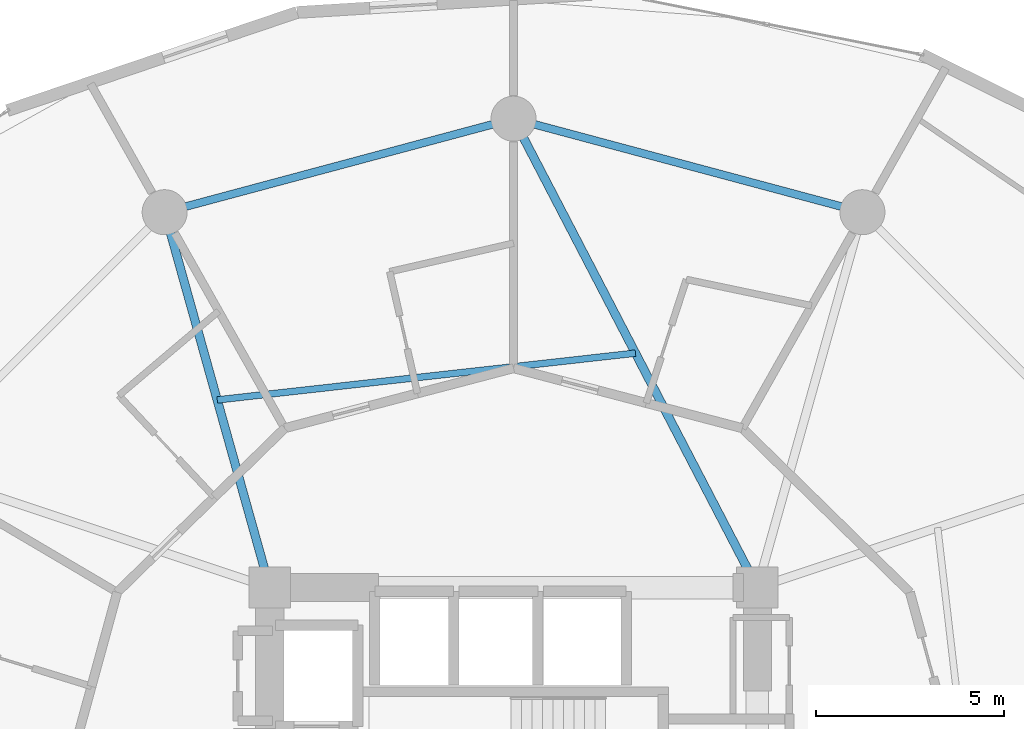
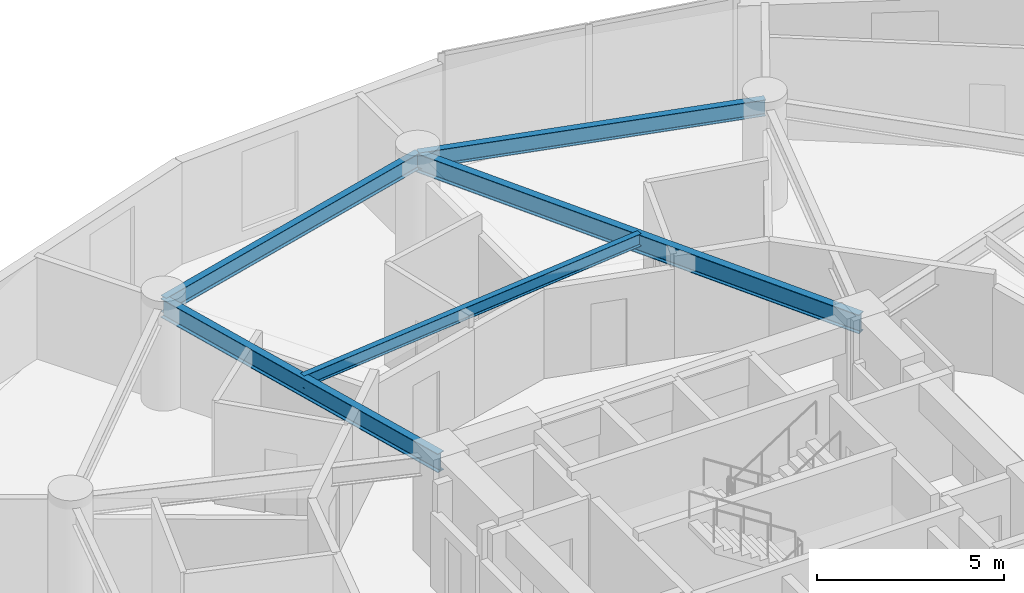
# One storey, part 14 of 26: 5 beams.
"""IFC4 building model written with IfcOpenShell, lengths in metres."""

from ifc_helpers import new_model, si_unit, direction, frame, origin, origin_2d, place, context, subcontext, project, spatial, i_section, extrude, material, material_profile, profile_set, type_object, element, save


model = new_model("IFC4")

# Units and contexts
model_context = context("Model", 3, precision=1e-05, world=origin(), true_north=direction((0.0, 1.0)))
body_context = subcontext(model_context, "Body", "Model", "MODEL_VIEW")
ifc_project = project(units=[si_unit("LENGTHUNIT", "METRE"), si_unit("AREAUNIT", "SQUARE_METRE"), si_unit("VOLUMEUNIT", "CUBIC_METRE"), si_unit("PLANEANGLEUNIT", "RADIAN"), si_unit("MASSUNIT", "GRAM", prefix="KILO")], contexts=[model_context])

# Site, building, storey
site_placement = place(None, origin())
site = spatial("IfcSite", under=ifc_project, at=site_placement, CompositionType="ELEMENT")
building_placement = place(site_placement, origin())
building = spatial("IfcBuilding", under=site, at=building_placement, Name="Solvirekh Grand Hotel", CompositionType="ELEMENT")
storey_placement = place(building_placement, frame((0.0, 0.0, 35.60009765625)))
storey = spatial("IfcBuildingStorey", under=building, at=storey_placement, Name="L07", CompositionType="ELEMENT", Elevation=35.60009765625)

# Beams
ifc_material = material(Name="Steel S355", Category="steel")
ifc_material_profile_1 = material_profile(ifc_material, i_section(OverallWidth=0.22802734375, OverallDepth=0.616943359375, WebThickness=0.012939453125, FlangeThickness=0.02001953125, FilletRadius=0.014892578125, at=origin_2d()), Name="W610X140")
ifc_profile_set_1 = profile_set([ifc_material_profile_1], Name="Steel S355")
beam_type_1 = type_object("IfcBeamType", Name="Beam_Radial_W610", PredefinedType="BEAM", material=ifc_profile_set_1)
beam_1_placement = place(storey_placement, frame((6.5, 6.10009765625, 3.031005859375), z_axis=(-0.461352736642, 0.887216801235, 0.0), x_axis=(-0.887216801235, -0.461352736642, 0.0)))
element("IfcBeam", 1, at=beam_1_placement, inside=storey, type_object=beam_type_1, Name="L07 radial floor beam R04", PredefinedType="BEAM", context=body_context, shape_type="SweptSolid", body=[
    extrude(i_section(OverallWidth=0.22802734375, OverallDepth=0.616943359375, WebThickness=0.012939453125, FlangeThickness=0.02001953125, FilletRadius=0.014892578125, at=origin_2d()), origin(), (0.0, 0.0, 1.0), 14.089111328125),
])
beam_2_placement = place(storey_placement, frame((-6.5, 6.10009765625, 3.031005859375), z_axis=(-0.269439084681, 0.963017434757, 0.0), x_axis=(-0.963017434757, -0.269439084681, 0.0)))
element("IfcBeam", 2, at=beam_2_placement, inside=storey, type_object=beam_type_1, Name="L07 radial floor beam R05", PredefinedType="BEAM", context=body_context, shape_type="SweptSolid", body=[
    extrude(i_section(OverallWidth=0.22802734375, OverallDepth=0.616943359375, WebThickness=0.012939453125, FlangeThickness=0.02001953125, FilletRadius=0.014892578125, at=origin_2d()), origin(), (0.0, 0.0, 1.0), 10.39208984375),
])
ifc_material_profile_2 = material_profile(ifc_material, i_section(OverallWidth=0.177978515625, OverallDepth=0.406982421875, WebThickness=0.008056640625, FlangeThickness=0.011962890625, FilletRadius=0.011962890625, at=origin_2d()), Name="W410X60")
ifc_profile_set_2 = profile_set([ifc_material_profile_2], Name="Steel S355")
beam_type_2 = type_object("IfcBeamType", Name="Joist_Floor_W410", PredefinedType="JOIST", material=ifc_profile_set_2)
beam_3_placement = place(storey_placement, frame((3.25, 12.35009765625, 3.135986328125), z_axis=(-0.99381294191, -0.111066810937, 0.0), x_axis=(0.111066810937, -0.99381294191, 0.0)))
element("IfcBeam", 3, at=beam_3_placement, inside=storey, type_object=beam_type_2, Name="L07 secondary composite floor joist 4", PredefinedType="JOIST", context=body_context, shape_type="SweptSolid", body=[
    extrude(i_section(OverallWidth=0.177978515625, OverallDepth=0.406982421875, WebThickness=0.008056640625, FlangeThickness=0.011962890625, FilletRadius=0.011962890625, at=origin_2d()), origin(), (0.0, 0.0, 1.0), 11.21923828125),
])
ifc_material_profile_3 = material_profile(ifc_material, i_section(OverallWidth=0.208984375, OverallDepth=0.532958984375, WebThickness=0.010009765625, FlangeThickness=0.014892578125, FilletRadius=0.013916015625, at=origin_2d()), Name="W530X92")
ifc_profile_set_3 = profile_set([ifc_material_profile_3], Name="Steel S355")
beam_type_3 = type_object("IfcBeamType", Name="Spandrel_Ring_W530", PredefinedType="SPANDREL", material=ifc_profile_set_3)
for number, where, z_axis, x_axis, name in (
    (4, (9.300048828125, 16.10791015625, 3.072998046875), (-0.965919414426, 0.258842973314, 0.0), (-0.258842973314, -0.965919414426, 0.0), "L07 perimeter spandrel beam 3"),
    (5, (0.0, 18.60009765625, 3.072998046875), (-0.965919414426, -0.258842973314, 0.0), (0.258842973314, -0.965919414426, 0.0), "L07 perimeter spandrel beam 4"),
):
    element("IfcBeam", number, at=place(storey_placement, frame(where, z_axis=z_axis, x_axis=x_axis)), inside=storey, type_object=beam_type_3, Name=name, PredefinedType="SPANDREL", context=body_context, shape_type="SweptSolid", body=[
        extrude(i_section(OverallWidth=0.208984375, OverallDepth=0.532958984375, WebThickness=0.010009765625, FlangeThickness=0.014892578125, FilletRadius=0.013916015625, at=origin_2d()), origin(), (0.0, 0.0, 1.0), 9.628173828125),
    ])

save(model, "model.ifc")
